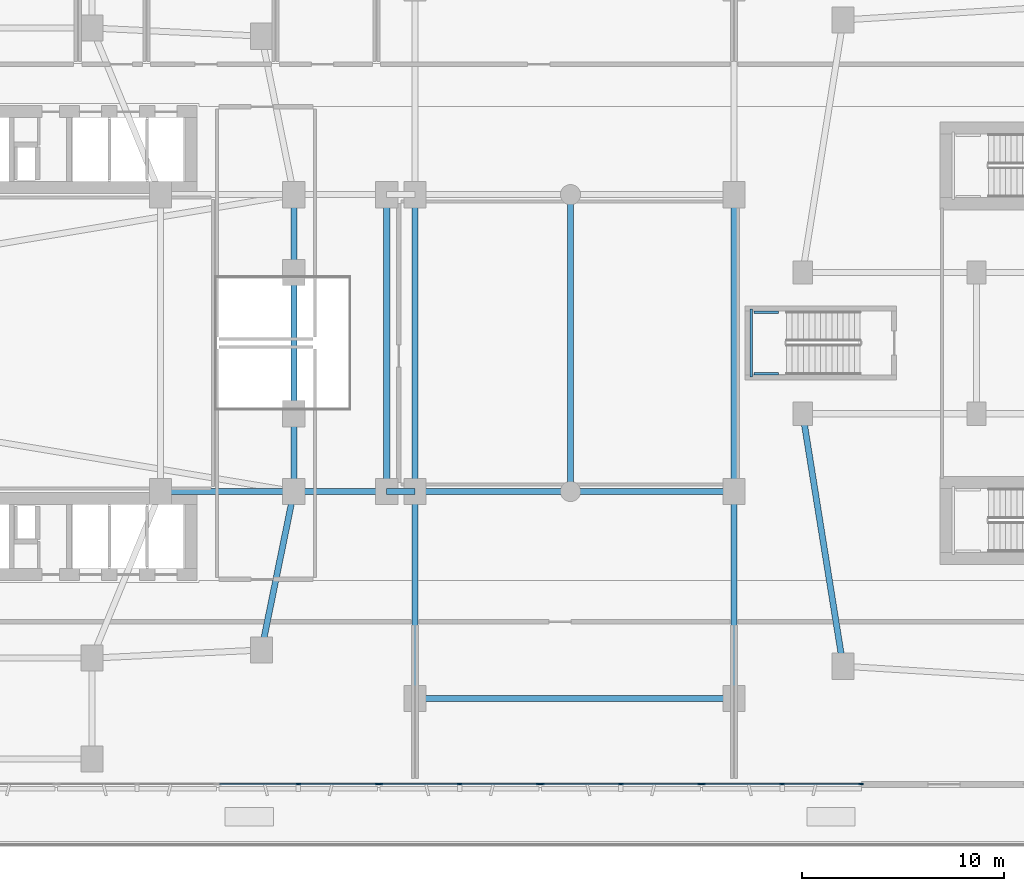
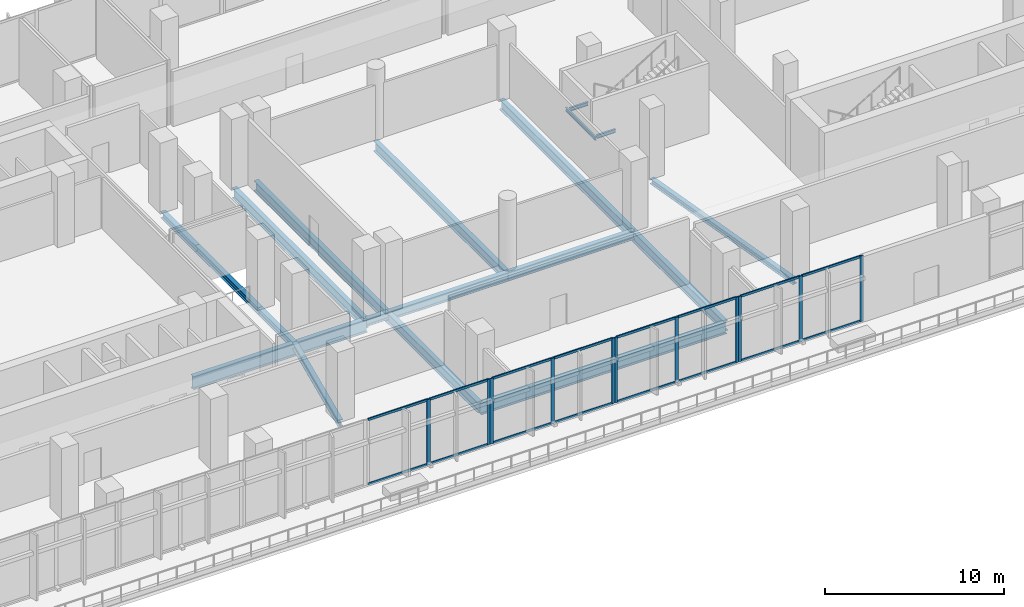
# One storey, part 4 of 30: 27 members, 20 beams, 4 elements without a shape of their own.
"""IFC4 building model written with IfcOpenShell, lengths in metres."""

from ifc_helpers import new_model, si_unit, derived_unit, direction, frame, origin, origin_2d, place, context, subcontext, project, spatial, rectangle, i_section, extrude, material, layer, layer_set, material_profile, profile_set, type_object, element, aggregate, save


model = new_model("IFC4")

# Units and contexts
model_context = context("Model", 3, precision=1e-05, world=origin(), true_north=direction((0.0, 1.0)))
body_context = subcontext(model_context, "Body", "Model", "MODEL_VIEW")
ifc_project = project(units=[si_unit("LENGTHUNIT", "METRE"), si_unit("AREAUNIT", "SQUARE_METRE"), si_unit("VOLUMEUNIT", "CUBIC_METRE"), si_unit("PLANEANGLEUNIT", "RADIAN"), si_unit("MASSUNIT", "GRAM", prefix="KILO"), derived_unit("THERMALTRANSMITTANCEUNIT", [(si_unit("POWERUNIT", "WATT"), 1), (si_unit("LENGTHUNIT", "METRE"), -2), (si_unit("THERMODYNAMICTEMPERATUREUNIT", "KELVIN"), -1)])], contexts=[model_context])

# Site, building, storey
site_placement = place(None, origin())
site = spatial("IfcSite", under=ifc_project, at=site_placement, CompositionType="ELEMENT")
building_placement = place(site_placement, origin())
building = spatial("IfcBuilding", under=site, at=building_placement, Name="Kivonza Crest Hotel", CompositionType="ELEMENT")
storey_placement = place(building_placement, frame((0.0, 0.0, 10.199951171875)))
storey = spatial("IfcBuildingStorey", under=building, at=storey_placement, Name="L02", CompositionType="ELEMENT", Elevation=10.199951171875)

# Beams
ifc_material_1 = material(Name="Steel S355", Category="steel")
ifc_material_profile_1 = material_profile(ifc_material_1, i_section(OverallWidth=0.300048828125, OverallDepth=0.360107421875, WebThickness=0.012451171875, FlangeThickness=0.0224609375, FilletRadius=0.027099609375, at=origin_2d()), Name="HEB 360")
ifc_profile_set_1 = profile_set([ifc_material_profile_1], Name="Steel S355")
beam_type_1 = type_object("IfcBeamType", Name="BM-HEB360", PredefinedType="SPANDREL", material=ifc_profile_set_1)
beam_1_placement = place(storey_placement, frame((61.0, 21.5, -0.530029296875), z_axis=(0.157990501107, -0.987440631917, 0.0), x_axis=(0.987440631917, 0.157990501107, 0.0)))
element("IfcBeam", 1, at=beam_1_placement, inside=storey, type_object=beam_type_1, Name="Companion Tower T2 L02 perimeter spandrel W1-SW", PredefinedType="SPANDREL", context=body_context, shape_type="SweptSolid", body=[
    extrude(i_section(OverallWidth=0.300048828125, OverallDepth=0.360107421875, WebThickness=0.012451171875, FlangeThickness=0.0224609375, FilletRadius=0.027099609375, at=origin_2d()), origin(), (0.0, 0.0, 1.0), 12.658935546875),
])
ifc_material_profile_2 = material_profile(ifc_material_1, i_section(OverallWidth=0.300048828125, OverallDepth=0.449951171875, WebThickness=0.013916015625, FlangeThickness=0.02587890625, FilletRadius=0.027099609375, at=origin_2d()), Name="HEB 450")
ifc_profile_set_2 = profile_set([ifc_material_profile_2], Name="Steel S355")
beam_type_2 = type_object("IfcBeamType", Name="BM-HEB450", PredefinedType="SPANDREL", material=ifc_profile_set_2)
beam_2_placement = place(storey_placement, frame((34.199951171875, 9.800048828125, -0.574951171875), z_axis=(0.199730733965, 0.979850822273, 0.0), x_axis=(-0.979850822273, 0.199730733965, 0.0)))
element("IfcBeam", 2, at=beam_2_placement, inside=storey, type_object=beam_type_2, Name="Tower T1 L02 perimeter spandrel SE-PSE", PredefinedType="SPANDREL", context=body_context, shape_type="SweptSolid", body=[
    extrude(i_section(OverallWidth=0.300048828125, OverallDepth=0.449951171875, WebThickness=0.013916015625, FlangeThickness=0.02587890625, FilletRadius=0.027099609375, at=origin_2d()), origin(), (0.0, 0.0, 1.0), 8.01123046875),
])
beam_3_placement = place(storey_placement, frame((35.800048828125, 17.64990234375, -0.574951171875), z_axis=(0.0, 1.0, 0.0), x_axis=(-1.0, 0.0, 0.0)))
element("IfcBeam", 3, at=beam_3_placement, inside=storey, type_object=beam_type_2, Name="Tower T1 L02 perimeter spandrel PSE-E1", PredefinedType="SPANDREL", context=body_context, shape_type="SweptSolid", body=[
    extrude(i_section(OverallWidth=0.300048828125, OverallDepth=0.449951171875, WebThickness=0.013916015625, FlangeThickness=0.02587890625, FilletRadius=0.027099609375, at=origin_2d()), origin(), (0.0, 0.0, 1.0), 3.85009765625),
])
beam_4_placement = place(storey_placement, frame((35.800048828125, 21.5, -0.574951171875), z_axis=(0.0, 1.0, 0.0), x_axis=(-1.0, 0.0, 0.0)))
element("IfcBeam", 4, at=beam_4_placement, inside=storey, type_object=beam_type_2, Name="Tower T1 L02 perimeter spandrel E1-E2", PredefinedType="SPANDREL", context=body_context, shape_type="SweptSolid", body=[
    extrude(i_section(OverallWidth=0.300048828125, OverallDepth=0.449951171875, WebThickness=0.013916015625, FlangeThickness=0.02587890625, FilletRadius=0.027099609375, at=origin_2d()), origin(), (0.0, 0.0, 1.0), 7.0),
])
beam_5_placement = place(storey_placement, frame((35.800048828125, 28.5, -0.574951171875), z_axis=(0.0, 1.0, 0.0), x_axis=(-1.0, 0.0, 0.0)))
element("IfcBeam", 5, at=beam_5_placement, inside=storey, type_object=beam_type_2, Name="Tower T1 L02 perimeter spandrel E2-PNE", PredefinedType="SPANDREL", context=body_context, shape_type="SweptSolid", body=[
    extrude(i_section(OverallWidth=0.300048828125, OverallDepth=0.449951171875, WebThickness=0.013916015625, FlangeThickness=0.02587890625, FilletRadius=0.027099609375, at=origin_2d()), origin(), (0.0, 0.0, 1.0), 3.85009765625),
])
ifc_material_profile_3 = material_profile(ifc_material_1, i_section(OverallWidth=0.300048828125, OverallDepth=0.5, WebThickness=0.014404296875, FlangeThickness=0.028076171875, FilletRadius=0.027099609375, at=origin_2d()), Name="HEB 500")
ifc_profile_set_3 = profile_set([ifc_material_profile_3], Name="Steel S355")
beam_type_3 = type_object("IfcBeamType", Name="BM-HEB500", PredefinedType="BEAM", material=ifc_profile_set_3)
beam_6_placement = place(storey_placement, frame((40.39990234375, 17.64990234375, -0.599853515625), z_axis=(1.0, 0.0, 0.0), x_axis=(0.0, 1.0, 0.0)))
element("IfcBeam", 6, at=beam_6_placement, inside=storey, type_object=beam_type_3, Name="L02 podium girder X 10", PredefinedType="BEAM", context=body_context, shape_type="SweptSolid", body=[
    extrude(i_section(OverallWidth=0.300048828125, OverallDepth=0.5, WebThickness=0.014404296875, FlangeThickness=0.028076171875, FilletRadius=0.027099609375, at=origin_2d()), origin(), (0.0, 0.0, 1.0), 1.400146484375),
])
ifc_material_profile_4 = material_profile(ifc_material_1, i_section(OverallWidth=0.300048828125, OverallDepth=0.60009765625, WebThickness=0.015380859375, FlangeThickness=0.030029296875, FilletRadius=0.027099609375, at=origin_2d()), Name="HEB 600")
ifc_profile_set_4 = profile_set([ifc_material_profile_4], Name="Steel S355")
beam_type_4 = type_object("IfcBeamType", Name="BM-HEB600", PredefinedType="BEAM", material=ifc_profile_set_4)
beam_7_placement = place(storey_placement, frame((41.800048828125, 17.64990234375, -0.64990234375), z_axis=(1.0, 0.0, 0.0), x_axis=(0.0, 1.0, 0.0)))
element("IfcBeam", 7, at=beam_7_placement, inside=storey, type_object=beam_type_4, Name="L02 podium girder X 11", PredefinedType="BEAM", context=body_context, shape_type="SweptSolid", body=[
    extrude(i_section(OverallWidth=0.300048828125, OverallDepth=0.60009765625, WebThickness=0.015380859375, FlangeThickness=0.030029296875, FilletRadius=0.027099609375, at=origin_2d()), origin(), (0.0, 0.0, 1.0), 7.699951171875),
])
beam_8_placement = place(storey_placement, frame((49.5, 17.64990234375, -0.64990234375), z_axis=(1.0, 0.0, 0.0), x_axis=(0.0, 1.0, 0.0)))
element("IfcBeam", 8, at=beam_8_placement, inside=storey, type_object=beam_type_4, Name="L02 podium girder X 12", PredefinedType="BEAM", context=body_context, shape_type="SweptSolid", body=[
    extrude(i_section(OverallWidth=0.300048828125, OverallDepth=0.60009765625, WebThickness=0.015380859375, FlangeThickness=0.030029296875, FilletRadius=0.027099609375, at=origin_2d()), origin(), (0.0, 0.0, 1.0), 8.10009765625),
])
ifc_material_profile_5 = material_profile(ifc_material_1, i_section(OverallWidth=0.300048828125, OverallDepth=0.699951171875, WebThickness=0.01708984375, FlangeThickness=0.031982421875, FilletRadius=0.027099609375, at=origin_2d()), Name="HEB 700")
ifc_profile_set_5 = profile_set([ifc_material_profile_5], Name="Steel S355")
beam_type_5 = type_object("IfcBeamType", Name="BM-HEB700", PredefinedType="BEAM", material=ifc_profile_set_5)
beam_9_placement = place(storey_placement, frame((40.39990234375, 17.64990234375, -0.699951171875), z_axis=(0.0, 1.0, 0.0), x_axis=(-1.0, 0.0, 0.0)))
element("IfcBeam", 9, at=beam_9_placement, inside=storey, type_object=beam_type_5, Name="L02 podium girder Y 50", PredefinedType="BEAM", context=body_context, shape_type="SweptSolid", body=[
    extrude(i_section(OverallWidth=0.300048828125, OverallDepth=0.699951171875, WebThickness=0.01708984375, FlangeThickness=0.031982421875, FilletRadius=0.027099609375, at=origin_2d()), origin(), (0.0, 0.0, 1.0), 14.7001953125),
])
beam_10_placement = place(storey_placement, frame((41.800048828125, 7.39990234375, -0.699951171875), z_axis=(0.0, 1.0, 0.0), x_axis=(-1.0, 0.0, 0.0)))
element("IfcBeam", 10, at=beam_10_placement, inside=storey, type_object=beam_type_5, Name="L02 podium girder Y 51", PredefinedType="BEAM", context=body_context, shape_type="SweptSolid", body=[
    extrude(i_section(OverallWidth=0.300048828125, OverallDepth=0.699951171875, WebThickness=0.01708984375, FlangeThickness=0.031982421875, FilletRadius=0.027099609375, at=origin_2d()), origin(), (0.0, 0.0, 1.0), 10.25),
])
for number, where, z_axis, x_axis, name in (
    (11, (41.800048828125, 17.64990234375, -0.699951171875), (0.0, 1.0, 0.0), (-1.0, 0.0, 0.0), "L02 podium girder Y 52"),
    (12, (49.5, 17.64990234375, -0.699951171875), (0.0, 1.0, 0.0), (-1.0, 0.0, 0.0), "L02 podium girder Y 54"),
):
    element("IfcBeam", number, at=place(storey_placement, frame(where, z_axis=z_axis, x_axis=x_axis)), inside=storey, type_object=beam_type_5, Name=name, PredefinedType="BEAM", context=body_context, shape_type="SweptSolid", body=[
        extrude(i_section(OverallWidth=0.300048828125, OverallDepth=0.699951171875, WebThickness=0.01708984375, FlangeThickness=0.031982421875, FilletRadius=0.027099609375, at=origin_2d()), origin(), (0.0, 0.0, 1.0), 14.7001953125),
    ])
beam_11_placement = place(storey_placement, frame((57.60009765625, 7.39990234375, -0.699951171875), z_axis=(0.0, 1.0, 0.0), x_axis=(-1.0, 0.0, 0.0)))
element("IfcBeam", 13, at=beam_11_placement, inside=storey, type_object=beam_type_5, Name="L02 podium girder Y 55", PredefinedType="BEAM", context=body_context, shape_type="SweptSolid", body=[
    extrude(i_section(OverallWidth=0.300048828125, OverallDepth=0.699951171875, WebThickness=0.01708984375, FlangeThickness=0.031982421875, FilletRadius=0.027099609375, at=origin_2d()), origin(), (0.0, 0.0, 1.0), 10.25),
])
beam_12_placement = place(storey_placement, frame((57.60009765625, 17.64990234375, -0.699951171875), z_axis=(0.0, 1.0, 0.0), x_axis=(-1.0, 0.0, 0.0)))
element("IfcBeam", 14, at=beam_12_placement, inside=storey, type_object=beam_type_5, Name="L02 podium girder Y 56", PredefinedType="BEAM", context=body_context, shape_type="SweptSolid", body=[
    extrude(i_section(OverallWidth=0.300048828125, OverallDepth=0.699951171875, WebThickness=0.01708984375, FlangeThickness=0.031982421875, FilletRadius=0.027099609375, at=origin_2d()), origin(), (0.0, 0.0, 1.0), 14.7001953125),
])
ifc_material_profile_6 = material_profile(ifc_material_1, i_section(OverallWidth=0.300048828125, OverallDepth=0.800048828125, WebThickness=0.017578125, FlangeThickness=0.032958984375, FilletRadius=0.030029296875, at=origin_2d()), Name="HEB 800")
ifc_profile_set_6 = profile_set([ifc_material_profile_6], Name="Steel S355")
beam_type_6 = type_object("IfcBeamType", Name="BM-HEB800", PredefinedType="BEAM", material=ifc_profile_set_6)
beam_13_placement = place(storey_placement, frame((41.800048828125, 7.39990234375, -0.75), z_axis=(1.0, 0.0, 0.0), x_axis=(0.0, 1.0, 0.0)))
element("IfcBeam", 15, at=beam_13_placement, inside=storey, type_object=beam_type_6, Name="L02 podium girder X 5", PredefinedType="BEAM", context=body_context, shape_type="SweptSolid", body=[
    extrude(i_section(OverallWidth=0.300048828125, OverallDepth=0.800048828125, WebThickness=0.017578125, FlangeThickness=0.032958984375, FilletRadius=0.030029296875, at=origin_2d()), origin(), (0.0, 0.0, 1.0), 15.800048828125),
])
ifc_material_profile_7 = material_profile(ifc_material_1, i_section(OverallWidth=0.300048828125, OverallDepth=0.89990234375, WebThickness=0.0185546875, FlangeThickness=0.034912109375, FilletRadius=0.030029296875, at=origin_2d()), Name="HEB 900")
ifc_profile_set_7 = profile_set([ifc_material_profile_7], Name="Steel S355")
beam_type_7 = type_object("IfcBeamType", Name="BM-HEB900", PredefinedType="BEAM", material=ifc_profile_set_7)
beam_14_placement = place(storey_placement, frame((29.199951171875, 17.64990234375, -0.800048828125), z_axis=(1.0, 0.0, 0.0), x_axis=(0.0, 1.0, 0.0)))
element("IfcBeam", 16, at=beam_14_placement, inside=storey, type_object=beam_type_7, Name="Tower T1 L02 primary girder TSE-PSE", PredefinedType="BEAM", context=body_context, shape_type="SweptSolid", body=[
    extrude(i_section(OverallWidth=0.300048828125, OverallDepth=0.89990234375, WebThickness=0.0185546875, FlangeThickness=0.034912109375, FilletRadius=0.030029296875, at=origin_2d()), origin(), (0.0, 0.0, 1.0), 6.60009765625),
])
beam_15_placement = place(storey_placement, frame((40.39990234375, 17.64990234375, -0.800048828125), z_axis=(-1.0, 0.0, 0.0), x_axis=(0.0, -1.0, 0.0)))
element("IfcBeam", 17, at=beam_15_placement, inside=storey, type_object=beam_type_7, Name="Tower T1 L02 outer bay girder ZE1", PredefinedType="BEAM", context=body_context, shape_type="SweptSolid", body=[
    extrude(i_section(OverallWidth=0.300048828125, OverallDepth=0.89990234375, WebThickness=0.0185546875, FlangeThickness=0.034912109375, FilletRadius=0.030029296875, at=origin_2d()), origin(), (0.0, 0.0, 1.0), 4.599853515625),
])
ifc_material_profile_8 = material_profile(ifc_material_1, i_section(OverallWidth=0.1201171875, OverallDepth=0.239990234375, WebThickness=0.006103515625, FlangeThickness=0.009765625, FilletRadius=0.014892578125, at=origin_2d()), Name="IPE 240")
ifc_profile_set_8 = profile_set([ifc_material_profile_8], Name="Steel S355")
beam_type_8 = type_object("IfcBeamType", Name="BM-LLDG-240", PredefinedType="BEAM", material=ifc_profile_set_8)
beam_16_placement = place(storey_placement, frame((58.4599609375, 23.320068359375, 2.080078125), z_axis=(0.0, 1.0, 0.0), x_axis=(-1.0, 0.0, 0.0)))
element("IfcBeam", 18, at=beam_16_placement, inside=storey, type_object=beam_type_8, Name="Stair ST-POD-E L02 West landing corbel", PredefinedType="BEAM", context=body_context, shape_type="SweptSolid", body=[
    extrude(i_section(OverallWidth=0.1201171875, OverallDepth=0.239990234375, WebThickness=0.006103515625, FlangeThickness=0.009765625, FilletRadius=0.014892578125, at=origin_2d()), origin(), (0.0, 0.0, 1.0), 3.35986328125),
])
for number, where, z_axis, x_axis, name in (
    (19, (58.590087890625, 23.47998046875, 2.080078125), (1.0, 0.0, 0.0), (0.0, 1.0, 0.0), "Stair ST-POD-E L02 South landing corbel"),
    (20, (58.590087890625, 26.52001953125, 2.080078125), (1.0, 0.0, 0.0), (0.0, 1.0, 0.0), "Stair ST-POD-E L02 North landing corbel"),
):
    element("IfcBeam", number, at=place(storey_placement, frame(where, z_axis=z_axis, x_axis=x_axis)), inside=storey, type_object=beam_type_8, Name=name, PredefinedType="BEAM", context=body_context, shape_type="SweptSolid", body=[
        extrude(i_section(OverallWidth=0.1201171875, OverallDepth=0.239990234375, WebThickness=0.006103515625, FlangeThickness=0.009765625, FilletRadius=0.014892578125, at=origin_2d()), origin(), (0.0, 0.0, 1.0), 1.2099609375),
    ])

# Curtain wall, members
ifc_material_2 = material(Name="Anodised bronze aluminium and low-E double glazing", Category="aluminium")
ifc_layer = layer(ifc_material_2, 0.219970703125)
ifc_layer_set = layer_set([ifc_layer], Name="Anodised bronze aluminium and low-E double glazing")
curtain_wall_type = type_object("IfcCurtainWallType", Name="CW-SYS-1", PredefinedType="NOTDEFINED", material=ifc_layer_set)
curtain_wall_1_placement = place(storey_placement, origin())
curtain_wall_1 = element("IfcCurtainWall", 21, at=curtain_wall_1_placement, inside=storey, type_object=curtain_wall_type, Name="L02 unitised curtain wall CW-POD-L02-05", PredefinedType="NOTDEFINED")
ifc_material_3 = material(Name="Anodised bronze aluminium", Category="aluminium")
ifc_material_profile_9 = material_profile(ifc_material_3, rectangle(XDim=0.074951171875, YDim=0.219970703125, at=origin_2d()), Name="CW-M 75x220")
ifc_profile_set_9 = profile_set([ifc_material_profile_9], Name="Anodised bronze aluminium")
member_type_1 = type_object("IfcMemberType", Name="CW-MUL-75x220", PredefinedType="MULLION", material=ifc_profile_set_9)
member_1_placement = place(storey_placement, frame((36.02001953125, 3.159912109375, 0.0), z_axis=(0.0, 0.0, 1.0), x_axis=(0.0, 1.0, 0.0)))
member_1 = element("IfcMember", 22, at=member_1_placement, type_object=member_type_1, Name="CW-1 mullion 2", PredefinedType="MULLION", context=body_context, shape_type="SweptSolid", body=[
    extrude(rectangle(XDim=0.074951171875, YDim=0.219970703125, at=origin_2d()), origin(), (0.0, 0.0, 1.0), 4.449951171875),
])
member_2_placement = place(storey_placement, frame((39.935546875, 3.159912109375, 0.0), z_axis=(0.0, 0.0, 1.0), x_axis=(0.0, 1.0, 0.0)))
member_2 = element("IfcMember", 23, at=member_2_placement, type_object=member_type_1, Name="CW-1 mullion 3", PredefinedType="MULLION", context=body_context, shape_type="SweptSolid", body=[
    extrude(rectangle(XDim=0.074951171875, YDim=0.219970703125, at=origin_2d()), origin(), (0.0, 0.0, 1.0), 4.449951171875),
])

curtain_wall_2_placement = place(storey_placement, origin())
curtain_wall_2 = element("IfcCurtainWall", 24, at=curtain_wall_2_placement, inside=storey, type_object=curtain_wall_type, Name="L02 unitised curtain wall CW-POD-L02-06", PredefinedType="NOTDEFINED")
member_3_placement = place(storey_placement, frame((40.090576171875, 3.159912109375, 0.0), z_axis=(0.0, 0.0, 1.0), x_axis=(0.0, 1.0, 0.0)))
member_3 = element("IfcMember", 25, at=member_3_placement, type_object=member_type_1, Name="CW-1 mullion 1", PredefinedType="MULLION", context=body_context, shape_type="SweptSolid", body=[
    extrude(rectangle(XDim=0.074951171875, YDim=0.219970703125, at=origin_2d()), origin(), (0.0, 0.0, 1.0), 4.449951171875),
])
member_4_placement = place(storey_placement, frame((44.006591796875, 3.159912109375, 0.0), z_axis=(0.0, 0.0, 1.0), x_axis=(0.0, 1.0, 0.0)))
member_4 = element("IfcMember", 26, at=member_4_placement, type_object=member_type_1, Name="CW-1 mullion 2", PredefinedType="MULLION", context=body_context, shape_type="SweptSolid", body=[
    extrude(rectangle(XDim=0.074951171875, YDim=0.219970703125, at=origin_2d()), origin(), (0.0, 0.0, 1.0), 4.449951171875),
])
member_5_placement = place(storey_placement, frame((47.922607421875, 3.159912109375, 0.0), z_axis=(0.0, 0.0, 1.0), x_axis=(0.0, 1.0, 0.0)))
member_5 = element("IfcMember", 27, at=member_5_placement, type_object=member_type_1, Name="CW-1 mullion 3", PredefinedType="MULLION", context=body_context, shape_type="SweptSolid", body=[
    extrude(rectangle(XDim=0.074951171875, YDim=0.219970703125, at=origin_2d()), origin(), (0.0, 0.0, 1.0), 4.449951171875),
])

curtain_wall_3_placement = place(storey_placement, origin())
curtain_wall_3 = element("IfcCurtainWall", 28, at=curtain_wall_3_placement, inside=storey, type_object=curtain_wall_type, Name="L02 unitised curtain wall CW-POD-L02-07", PredefinedType="NOTDEFINED")
member_6_placement = place(storey_placement, frame((48.077392578125, 3.159912109375, 0.0), z_axis=(0.0, 0.0, 1.0), x_axis=(0.0, 1.0, 0.0)))
member_6 = element("IfcMember", 29, at=member_6_placement, type_object=member_type_1, Name="CW-1 mullion 1", PredefinedType="MULLION", context=body_context, shape_type="SweptSolid", body=[
    extrude(rectangle(XDim=0.074951171875, YDim=0.219970703125, at=origin_2d()), origin(), (0.0, 0.0, 1.0), 4.449951171875),
])
member_7_placement = place(storey_placement, frame((51.993408203125, 3.159912109375, 0.0), z_axis=(0.0, 0.0, 1.0), x_axis=(0.0, 1.0, 0.0)))
member_7 = element("IfcMember", 30, at=member_7_placement, type_object=member_type_1, Name="CW-1 mullion 2", PredefinedType="MULLION", context=body_context, shape_type="SweptSolid", body=[
    extrude(rectangle(XDim=0.074951171875, YDim=0.219970703125, at=origin_2d()), origin(), (0.0, 0.0, 1.0), 4.449951171875),
])
member_8_placement = place(storey_placement, frame((55.909423828125, 3.159912109375, 0.0), z_axis=(0.0, 0.0, 1.0), x_axis=(0.0, 1.0, 0.0)))
member_8 = element("IfcMember", 31, at=member_8_placement, type_object=member_type_1, Name="CW-1 mullion 3", PredefinedType="MULLION", context=body_context, shape_type="SweptSolid", body=[
    extrude(rectangle(XDim=0.074951171875, YDim=0.219970703125, at=origin_2d()), origin(), (0.0, 0.0, 1.0), 4.449951171875),
])

curtain_wall_4_placement = place(storey_placement, origin())
curtain_wall_4 = element("IfcCurtainWall", 32, at=curtain_wall_4_placement, inside=storey, type_object=curtain_wall_type, Name="L02 unitised curtain wall CW-POD-L02-08", PredefinedType="NOTDEFINED")
member_9_placement = place(storey_placement, frame((56.064453125, 3.159912109375, 0.0), z_axis=(0.0, 0.0, 1.0), x_axis=(0.0, 1.0, 0.0)))
member_9 = element("IfcMember", 33, at=member_9_placement, type_object=member_type_1, Name="CW-1 mullion 1", PredefinedType="MULLION", context=body_context, shape_type="SweptSolid", body=[
    extrude(rectangle(XDim=0.074951171875, YDim=0.219970703125, at=origin_2d()), origin(), (0.0, 0.0, 1.0), 4.449951171875),
])
member_10_placement = place(storey_placement, frame((59.97998046875, 3.159912109375, 0.0), z_axis=(0.0, 0.0, 1.0), x_axis=(0.0, 1.0, 0.0)))
member_10 = element("IfcMember", 34, at=member_10_placement, type_object=member_type_1, Name="CW-1 mullion 2", PredefinedType="MULLION", context=body_context, shape_type="SweptSolid", body=[
    extrude(rectangle(XDim=0.074951171875, YDim=0.219970703125, at=origin_2d()), origin(), (0.0, 0.0, 1.0), 4.449951171875),
])
member_11_placement = place(storey_placement, frame((63.8955078125, 3.159912109375, 0.0), z_axis=(0.0, 0.0, 1.0), x_axis=(0.0, 1.0, 0.0)))
member_11 = element("IfcMember", 35, at=member_11_placement, type_object=member_type_1, Name="CW-1 mullion 3", PredefinedType="MULLION", context=body_context, shape_type="SweptSolid", body=[
    extrude(rectangle(XDim=0.074951171875, YDim=0.219970703125, at=origin_2d()), origin(), (0.0, 0.0, 1.0), 4.449951171875),
])

# Member
ifc_material_profile_10 = material_profile(ifc_material_3, rectangle(XDim=0.074951171875, YDim=0.159912109375, at=origin_2d()), Name="CW-T 75x160")
ifc_profile_set_10 = profile_set([ifc_material_profile_10], Name="Anodised bronze aluminium")
member_type_2 = type_object("IfcMemberType", Name="CW-TRN-75x160", PredefinedType="USERDEFINED", material=ifc_profile_set_10)
member_12_placement = place(storey_placement, frame((32.14208984375, 3.159912109375, 0.03759765625), z_axis=(1.0, 0.0, 0.0), x_axis=(0.0, 1.0, 0.0)))
member_12 = element("IfcMember", 36, at=member_12_placement, type_object=member_type_2, Name="CW-1 transom 1.1", ObjectType="TRANSOM", PredefinedType="USERDEFINED", context=body_context, shape_type="SweptSolid", body=[
    extrude(rectangle(XDim=0.074951171875, YDim=0.159912109375, at=origin_2d()), origin(), (0.0, 0.0, 1.0), 3.84033203125),
])

member_13_placement = place(storey_placement, frame((32.14208984375, 3.159912109375, 4.41259765625), z_axis=(1.0, 0.0, 0.0), x_axis=(0.0, 1.0, 0.0)))
member_13 = element("IfcMember", 37, at=member_13_placement, type_object=member_type_2, Name="CW-1 transom 1.2", ObjectType="TRANSOM", PredefinedType="USERDEFINED", context=body_context, shape_type="SweptSolid", body=[
    extrude(rectangle(XDim=0.074951171875, YDim=0.159912109375, at=origin_2d()), origin(), (0.0, 0.0, 1.0), 3.84033203125),
])

member_14_placement = place(storey_placement, frame((36.0576171875, 3.159912109375, 0.03759765625), z_axis=(1.0, 0.0, 0.0), x_axis=(0.0, 1.0, 0.0)))
member_14 = element("IfcMember", 38, at=member_14_placement, type_object=member_type_2, Name="CW-1 transom 2.1", ObjectType="TRANSOM", PredefinedType="USERDEFINED", context=body_context, shape_type="SweptSolid", body=[
    extrude(rectangle(XDim=0.074951171875, YDim=0.159912109375, at=origin_2d()), origin(), (0.0, 0.0, 1.0), 3.84033203125),
])

member_15_placement = place(storey_placement, frame((36.0576171875, 3.159912109375, 4.41259765625), z_axis=(1.0, 0.0, 0.0), x_axis=(0.0, 1.0, 0.0)))
member_15 = element("IfcMember", 39, at=member_15_placement, type_object=member_type_2, Name="CW-1 transom 2.2", ObjectType="TRANSOM", PredefinedType="USERDEFINED", context=body_context, shape_type="SweptSolid", body=[
    extrude(rectangle(XDim=0.074951171875, YDim=0.159912109375, at=origin_2d()), origin(), (0.0, 0.0, 1.0), 3.84033203125),
])

aggregate(curtain_wall_1, [member_1, member_2, member_12, member_13, member_14, member_15])

member_16_placement = place(storey_placement, frame((40.1279296875, 3.159912109375, 0.03759765625), z_axis=(1.0, 0.0, 0.0), x_axis=(0.0, 1.0, 0.0)))
member_16 = element("IfcMember", 40, at=member_16_placement, type_object=member_type_2, Name="CW-1 transom 1.1", ObjectType="TRANSOM", PredefinedType="USERDEFINED", context=body_context, shape_type="SweptSolid", body=[
    extrude(rectangle(XDim=0.074951171875, YDim=0.159912109375, at=origin_2d()), origin(), (0.0, 0.0, 1.0), 3.841064453125),
])

member_17_placement = place(storey_placement, frame((40.1279296875, 3.159912109375, 4.41259765625), z_axis=(1.0, 0.0, 0.0), x_axis=(0.0, 1.0, 0.0)))
member_17 = element("IfcMember", 41, at=member_17_placement, type_object=member_type_2, Name="CW-1 transom 1.2", ObjectType="TRANSOM", PredefinedType="USERDEFINED", context=body_context, shape_type="SweptSolid", body=[
    extrude(rectangle(XDim=0.074951171875, YDim=0.159912109375, at=origin_2d()), origin(), (0.0, 0.0, 1.0), 3.841064453125),
])

member_18_placement = place(storey_placement, frame((44.0439453125, 3.159912109375, 0.03759765625), z_axis=(1.0, 0.0, 0.0), x_axis=(0.0, 1.0, 0.0)))
member_18 = element("IfcMember", 42, at=member_18_placement, type_object=member_type_2, Name="CW-1 transom 2.1", ObjectType="TRANSOM", PredefinedType="USERDEFINED", context=body_context, shape_type="SweptSolid", body=[
    extrude(rectangle(XDim=0.074951171875, YDim=0.159912109375, at=origin_2d()), origin(), (0.0, 0.0, 1.0), 3.841064453125),
])

member_19_placement = place(storey_placement, frame((44.0439453125, 3.159912109375, 4.41259765625), z_axis=(1.0, 0.0, 0.0), x_axis=(0.0, 1.0, 0.0)))
member_19 = element("IfcMember", 43, at=member_19_placement, type_object=member_type_2, Name="CW-1 transom 2.2", ObjectType="TRANSOM", PredefinedType="USERDEFINED", context=body_context, shape_type="SweptSolid", body=[
    extrude(rectangle(XDim=0.074951171875, YDim=0.159912109375, at=origin_2d()), origin(), (0.0, 0.0, 1.0), 3.841064453125),
])

aggregate(curtain_wall_2, [member_3, member_4, member_5, member_16, member_17, member_18, member_19])

member_20_placement = place(storey_placement, frame((48.114990234375, 3.159912109375, 0.03759765625), z_axis=(1.0, 0.0, 0.0), x_axis=(0.0, 1.0, 0.0)))
member_20 = element("IfcMember", 44, at=member_20_placement, type_object=member_type_2, Name="CW-1 transom 1.1", ObjectType="TRANSOM", PredefinedType="USERDEFINED", context=body_context, shape_type="SweptSolid", body=[
    extrude(rectangle(XDim=0.074951171875, YDim=0.159912109375, at=origin_2d()), origin(), (0.0, 0.0, 1.0), 3.841064453125),
])

member_21_placement = place(storey_placement, frame((48.114990234375, 3.159912109375, 4.41259765625), z_axis=(1.0, 0.0, 0.0), x_axis=(0.0, 1.0, 0.0)))
member_21 = element("IfcMember", 45, at=member_21_placement, type_object=member_type_2, Name="CW-1 transom 1.2", ObjectType="TRANSOM", PredefinedType="USERDEFINED", context=body_context, shape_type="SweptSolid", body=[
    extrude(rectangle(XDim=0.074951171875, YDim=0.159912109375, at=origin_2d()), origin(), (0.0, 0.0, 1.0), 3.841064453125),
])

member_22_placement = place(storey_placement, frame((52.031005859375, 3.159912109375, 0.03759765625), z_axis=(1.0, 0.0, 0.0), x_axis=(0.0, 1.0, 0.0)))
member_22 = element("IfcMember", 46, at=member_22_placement, type_object=member_type_2, Name="CW-1 transom 2.1", ObjectType="TRANSOM", PredefinedType="USERDEFINED", context=body_context, shape_type="SweptSolid", body=[
    extrude(rectangle(XDim=0.074951171875, YDim=0.159912109375, at=origin_2d()), origin(), (0.0, 0.0, 1.0), 3.841064453125),
])

member_23_placement = place(storey_placement, frame((52.031005859375, 3.159912109375, 4.41259765625), z_axis=(1.0, 0.0, 0.0), x_axis=(0.0, 1.0, 0.0)))
member_23 = element("IfcMember", 47, at=member_23_placement, type_object=member_type_2, Name="CW-1 transom 2.2", ObjectType="TRANSOM", PredefinedType="USERDEFINED", context=body_context, shape_type="SweptSolid", body=[
    extrude(rectangle(XDim=0.074951171875, YDim=0.159912109375, at=origin_2d()), origin(), (0.0, 0.0, 1.0), 3.841064453125),
])

aggregate(curtain_wall_3, [member_6, member_7, member_8, member_20, member_21, member_22, member_23])

member_24_placement = place(storey_placement, frame((56.10205078125, 3.159912109375, 0.03759765625), z_axis=(1.0, 0.0, 0.0), x_axis=(0.0, 1.0, 0.0)))
member_24 = element("IfcMember", 48, at=member_24_placement, type_object=member_type_2, Name="CW-1 transom 1.1", ObjectType="TRANSOM", PredefinedType="USERDEFINED", context=body_context, shape_type="SweptSolid", body=[
    extrude(rectangle(XDim=0.074951171875, YDim=0.159912109375, at=origin_2d()), origin(), (0.0, 0.0, 1.0), 3.84033203125),
])

member_25_placement = place(storey_placement, frame((56.10205078125, 3.159912109375, 4.41259765625), z_axis=(1.0, 0.0, 0.0), x_axis=(0.0, 1.0, 0.0)))
member_25 = element("IfcMember", 49, at=member_25_placement, type_object=member_type_2, Name="CW-1 transom 1.2", ObjectType="TRANSOM", PredefinedType="USERDEFINED", context=body_context, shape_type="SweptSolid", body=[
    extrude(rectangle(XDim=0.074951171875, YDim=0.159912109375, at=origin_2d()), origin(), (0.0, 0.0, 1.0), 3.84033203125),
])

member_26_placement = place(storey_placement, frame((60.017578125, 3.159912109375, 0.03759765625), z_axis=(1.0, 0.0, 0.0), x_axis=(0.0, 1.0, 0.0)))
member_26 = element("IfcMember", 50, at=member_26_placement, type_object=member_type_2, Name="CW-1 transom 2.1", ObjectType="TRANSOM", PredefinedType="USERDEFINED", context=body_context, shape_type="SweptSolid", body=[
    extrude(rectangle(XDim=0.074951171875, YDim=0.159912109375, at=origin_2d()), origin(), (0.0, 0.0, 1.0), 3.84033203125),
])

member_27_placement = place(storey_placement, frame((60.017578125, 3.159912109375, 4.41259765625), z_axis=(1.0, 0.0, 0.0), x_axis=(0.0, 1.0, 0.0)))
member_27 = element("IfcMember", 51, at=member_27_placement, type_object=member_type_2, Name="CW-1 transom 2.2", ObjectType="TRANSOM", PredefinedType="USERDEFINED", context=body_context, shape_type="SweptSolid", body=[
    extrude(rectangle(XDim=0.074951171875, YDim=0.159912109375, at=origin_2d()), origin(), (0.0, 0.0, 1.0), 3.84033203125),
])

aggregate(curtain_wall_4, [member_9, member_10, member_11, member_24, member_25, member_26, member_27])

save(model, "model.ifc")
